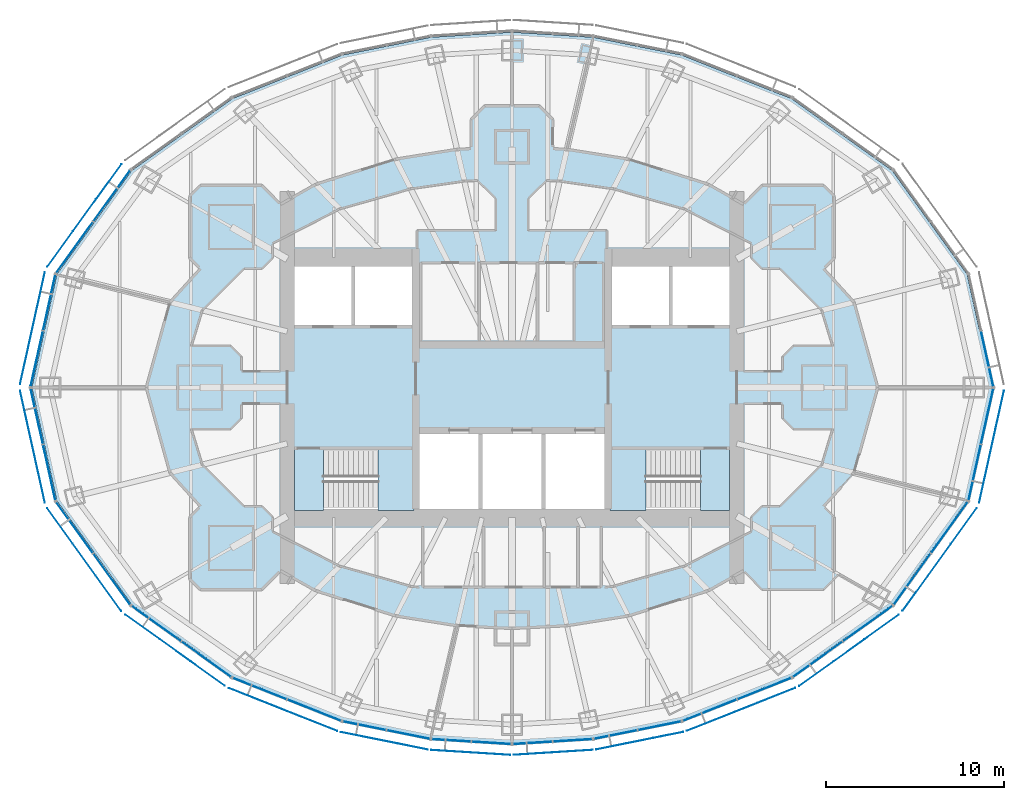
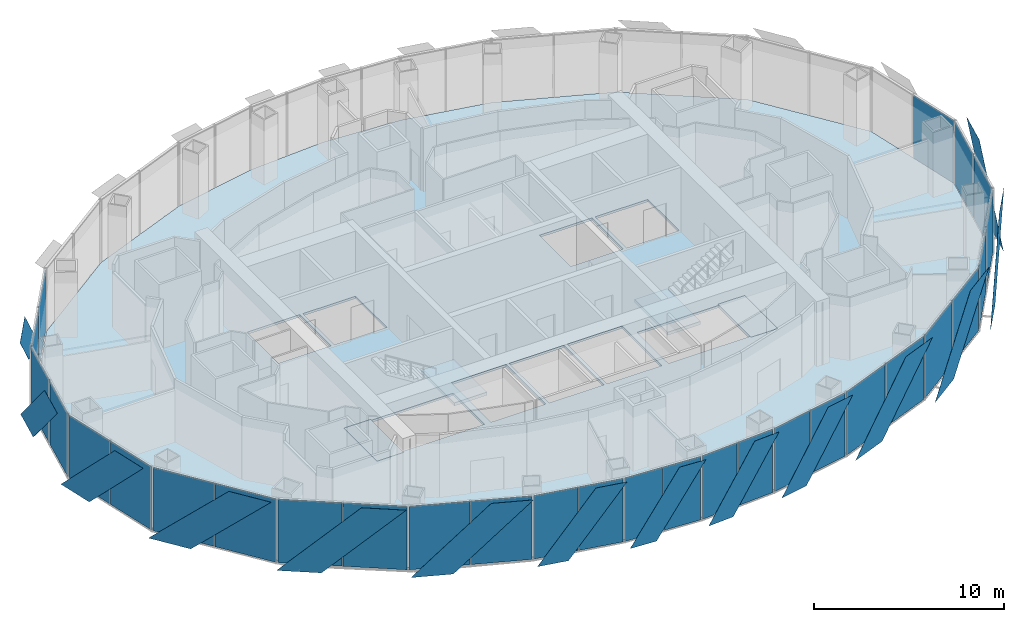
# One storey, part 10 of 18: 43 plates, 5 slabs, 17 elements without a shape of their own.
"""IFC4 building model written with IfcOpenShell, lengths in metres."""

from ifc_helpers import new_model, si_unit, direction, frame, origin, origin_2d, place, context, subcontext, project, spatial, polyline, rectangle, outline, extrude, material, layer, layer_set, type_object, element, aggregate, save


model = new_model("IFC4")

# Units and contexts
model_context = context("Model", 3, precision=1e-05, world=origin(), true_north=direction((0.0, 1.0)))
body_context = subcontext(model_context, "Body", "Model", "MODEL_VIEW")
ifc_project = project(units=[si_unit("LENGTHUNIT", "METRE"), si_unit("AREAUNIT", "SQUARE_METRE"), si_unit("VOLUMEUNIT", "CUBIC_METRE"), si_unit("PLANEANGLEUNIT", "RADIAN"), si_unit("MASSUNIT", "GRAM", prefix="KILO")], contexts=[model_context])

# Site, building, storey
site_placement = place(None, origin())
site = spatial("IfcSite", under=ifc_project, at=site_placement, CompositionType="ELEMENT")
building_placement = place(site_placement, origin())
building = spatial("IfcBuilding", under=site, at=building_placement, Name="Lantaw Convention Tower", CompositionType="ELEMENT")
storey_placement = place(building_placement, frame((0.0, 0.0, 257.800048828125)))
storey = spatial("IfcBuildingStorey", under=building, at=storey_placement, Name="L60", CompositionType="ELEMENT", Elevation=257.800048828125)

# Curtain wall, plate
ifc_material_1 = material(Name="Aluminium framed curtain wall", Category="aluminium")
curtain_wall_type = type_object("IfcCurtainWallType", Name="Office curtain wall high rise, pale aluminium", PredefinedType="USERDEFINED", material=ifc_material_1)
curtain_wall_1_placement = place(storey_placement, origin())
curtain_wall_1 = element("IfcCurtainWall", 1, at=curtain_wall_1_placement, inside=storey, type_object=curtain_wall_type, Name="Office curtain wall high rise, pale aluminium L60", ObjectType="UNITISED CURTAIN WALL", PredefinedType="USERDEFINED")
ifc_material_2 = material(Name="Clear insulating glass", Category="glass")
ifc_layer_1 = layer(ifc_material_2, 0.028076171875)
ifc_layer_set_1 = layer_set([ifc_layer_1], Name="CW-O2 panel 28")
plate_type_1 = type_object("IfcPlateType", Name="CW-O2 panel 28", PredefinedType="CURTAIN_PANEL", material=ifc_layer_set_1)
plate_1_placement = place(storey_placement, frame((26.643798828125, 1.61083984375, -0.0849609375), z_axis=(0.0, 0.0, 1.0), x_axis=(-0.215891333626, 0.976417396437, 0.0)))
plate_1 = element("IfcPlate", 2, at=plate_1_placement, type_object=plate_type_1, Name="CW-O2 panel 1.1", PredefinedType="CURTAIN_PANEL", context=body_context, shape_type="SweptSolid", body=[
    extrude(rectangle(XDim=3.169677734375, YDim=0.028076171875, at=origin_2d()), origin(), (0.0, 0.0, 1.0), 4.070068359375),
])
aggregate(curtain_wall_1, [plate_1])

# Curtain wall, plates
curtain_wall_2_placement = place(storey_placement, origin())
curtain_wall_2 = element("IfcCurtainWall", 3, at=curtain_wall_2_placement, inside=storey, type_object=curtain_wall_type, Name="Office curtain wall high rise, pale aluminium L60", ObjectType="UNITISED CURTAIN WALL", PredefinedType="USERDEFINED")
plate_2_placement = place(storey_placement, frame((-22.4404296875, 10.743896484375, -0.0849609375), z_axis=(0.0, 0.0, 1.0), x_axis=(-0.585157643865, -0.810919559405, 0.0)))
plate_2 = element("IfcPlate", 4, at=plate_2_placement, type_object=plate_type_1, Name="CW-O2 panel 1.1", PredefinedType="CURTAIN_PANEL", context=body_context, shape_type="SweptSolid", body=[
    extrude(rectangle(XDim=3.500732421875, YDim=0.028076171875, at=origin_2d()), origin(), (0.0, 0.0, 1.0), 4.070068359375),
])
plate_3_placement = place(storey_placement, frame((-24.527099609375, 7.852294921875, -0.0849609375), z_axis=(0.0, 0.0, 1.0), x_axis=(-0.585157643865, -0.810919559405, 0.0)))
plate_3 = element("IfcPlate", 5, at=plate_3_placement, type_object=plate_type_1, Name="CW-O2 panel 2.1", PredefinedType="CURTAIN_PANEL", context=body_context, shape_type="SweptSolid", body=[
    extrude(rectangle(XDim=3.500732421875, YDim=0.028076171875, at=origin_2d()), origin(), (0.0, 0.0, 1.0), 4.070068359375),
])
aggregate(curtain_wall_2, [plate_2, plate_3])

curtain_wall_3_placement = place(storey_placement, origin())
curtain_wall_3 = element("IfcCurtainWall", 6, at=curtain_wall_3_placement, inside=storey, type_object=curtain_wall_type, Name="Office curtain wall high rise, pale aluminium L60", ObjectType="UNITISED CURTAIN WALL", PredefinedType="USERDEFINED")
plate_4_placement = place(storey_placement, frame((-25.945556640625, 4.769287109375, -0.0849609375), z_axis=(0.0, 0.0, 1.0), x_axis=(-0.215891333626, -0.976417396437, 0.0)))
plate_4 = element("IfcPlate", 7, at=plate_4_placement, type_object=plate_type_1, Name="CW-O2 panel 1.1", PredefinedType="CURTAIN_PANEL", context=body_context, shape_type="SweptSolid", body=[
    extrude(rectangle(XDim=3.169677734375, YDim=0.028076171875, at=origin_2d()), origin(), (0.0, 0.0, 1.0), 4.070068359375),
])
plate_5_placement = place(storey_placement, frame((-26.643798828125, 1.61083984375, -0.0849609375), z_axis=(0.0, 0.0, 1.0), x_axis=(-0.215891333626, -0.976417396437, 0.0)))
plate_5 = element("IfcPlate", 8, at=plate_5_placement, type_object=plate_type_1, Name="CW-O2 panel 2.1", PredefinedType="CURTAIN_PANEL", context=body_context, shape_type="SweptSolid", body=[
    extrude(rectangle(XDim=3.169677734375, YDim=0.028076171875, at=origin_2d()), origin(), (0.0, 0.0, 1.0), 4.070068359375),
])
aggregate(curtain_wall_3, [plate_4, plate_5])

curtain_wall_4_placement = place(storey_placement, origin())
curtain_wall_4 = element("IfcCurtainWall", 9, at=curtain_wall_4_placement, inside=storey, type_object=curtain_wall_type, Name="Office curtain wall high rise, pale aluminium L60", ObjectType="UNITISED CURTAIN WALL", PredefinedType="USERDEFINED")
plate_6_placement = place(storey_placement, frame((-26.643798828125, -1.61083984375, -0.0849609375), z_axis=(0.0, 0.0, 1.0), x_axis=(0.215891333626, -0.976417396437, 0.0)))
plate_6 = element("IfcPlate", 10, at=plate_6_placement, type_object=plate_type_1, Name="CW-O2 panel 1.1", PredefinedType="CURTAIN_PANEL", context=body_context, shape_type="SweptSolid", body=[
    extrude(rectangle(XDim=3.169677734375, YDim=0.028076171875, at=origin_2d()), origin(), (0.0, 0.0, 1.0), 4.070068359375),
])
plate_7_placement = place(storey_placement, frame((-25.945556640625, -4.769287109375, -0.0849609375), z_axis=(0.0, 0.0, 1.0), x_axis=(0.215891333626, -0.976417396437, 0.0)))
plate_7 = element("IfcPlate", 11, at=plate_7_placement, type_object=plate_type_1, Name="CW-O2 panel 2.1", PredefinedType="CURTAIN_PANEL", context=body_context, shape_type="SweptSolid", body=[
    extrude(rectangle(XDim=3.169677734375, YDim=0.028076171875, at=origin_2d()), origin(), (0.0, 0.0, 1.0), 4.070068359375),
])
aggregate(curtain_wall_4, [plate_6, plate_7])

curtain_wall_5_placement = place(storey_placement, origin())
curtain_wall_5 = element("IfcCurtainWall", 12, at=curtain_wall_5_placement, inside=storey, type_object=curtain_wall_type, Name="Office curtain wall high rise, pale aluminium L60", ObjectType="UNITISED CURTAIN WALL", PredefinedType="USERDEFINED")
plate_8_placement = place(storey_placement, frame((-24.527099609375, -7.852294921875, -0.0849609375), z_axis=(0.0, 0.0, 1.0), x_axis=(0.585157643865, -0.810919559405, 0.0)))
plate_8 = element("IfcPlate", 13, at=plate_8_placement, type_object=plate_type_1, Name="CW-O2 panel 1.1", PredefinedType="CURTAIN_PANEL", context=body_context, shape_type="SweptSolid", body=[
    extrude(rectangle(XDim=3.500732421875, YDim=0.028076171875, at=origin_2d()), origin(), (0.0, 0.0, 1.0), 4.070068359375),
])
plate_9_placement = place(storey_placement, frame((-22.4404296875, -10.743896484375, -0.0849609375), z_axis=(0.0, 0.0, 1.0), x_axis=(0.585157643865, -0.810919559405, 0.0)))
plate_9 = element("IfcPlate", 14, at=plate_9_placement, type_object=plate_type_1, Name="CW-O2 panel 2.1", PredefinedType="CURTAIN_PANEL", context=body_context, shape_type="SweptSolid", body=[
    extrude(rectangle(XDim=3.500732421875, YDim=0.028076171875, at=origin_2d()), origin(), (0.0, 0.0, 1.0), 4.070068359375),
])
aggregate(curtain_wall_5, [plate_8, plate_9])

curtain_wall_6_placement = place(storey_placement, origin())
curtain_wall_6 = element("IfcCurtainWall", 15, at=curtain_wall_6_placement, inside=storey, type_object=curtain_wall_type, Name="Office curtain wall high rise, pale aluminium L60", ObjectType="UNITISED CURTAIN WALL", PredefinedType="USERDEFINED")
plate_10_placement = place(storey_placement, frame((-19.947509765625, -13.23828125, -0.0849609375), z_axis=(0.0, 0.0, 1.0), x_axis=(0.813672540482, -0.581323487281, 0.0)))
plate_10 = element("IfcPlate", 16, at=plate_10_placement, type_object=plate_type_1, Name="CW-O2 panel 1.1", PredefinedType="CURTAIN_PANEL", context=body_context, shape_type="SweptSolid", body=[
    extrude(rectangle(XDim=3.386474609375, YDim=0.028076171875, at=origin_2d()), origin(), (0.0, 0.0, 1.0), 4.070068359375),
])
plate_11_placement = place(storey_placement, frame((-17.13916015625, -15.24462890625, -0.0849609375), z_axis=(0.0, 0.0, 1.0), x_axis=(0.813672540482, -0.581323487281, 0.0)))
plate_11 = element("IfcPlate", 17, at=plate_11_placement, type_object=plate_type_1, Name="CW-O2 panel 2.1", PredefinedType="CURTAIN_PANEL", context=body_context, shape_type="SweptSolid", body=[
    extrude(rectangle(XDim=3.386474609375, YDim=0.028076171875, at=origin_2d()), origin(), (0.0, 0.0, 1.0), 4.070068359375),
])
aggregate(curtain_wall_6, [plate_10, plate_11])

curtain_wall_7_placement = place(storey_placement, origin())
curtain_wall_7 = element("IfcCurtainWall", 18, at=curtain_wall_7_placement, inside=storey, type_object=curtain_wall_type, Name="Office curtain wall high rise, pale aluminium L60", ObjectType="UNITISED CURTAIN WALL", PredefinedType="USERDEFINED")
plate_12_placement = place(storey_placement, frame((-14.14990234375, -16.8837890625, -0.0849609375), z_axis=(0.0, 0.0, 1.0), x_axis=(0.929761533743, -0.368162315252, 0.0)))
plate_12 = element("IfcPlate", 19, at=plate_12_placement, type_object=plate_type_1, Name="CW-O2 panel 1.1", PredefinedType="CURTAIN_PANEL", context=body_context, shape_type="SweptSolid", body=[
    extrude(rectangle(XDim=3.222900390625, YDim=0.028076171875, at=origin_2d()), origin(), (0.0, 0.0, 1.0), 4.070068359375),
])
plate_13_placement = place(storey_placement, frame((-11.0927734375, -18.094482421875, -0.0849609375), z_axis=(0.0, 0.0, 1.0), x_axis=(0.929761533743, -0.368162315252, 0.0)))
plate_13 = element("IfcPlate", 20, at=plate_13_placement, type_object=plate_type_1, Name="CW-O2 panel 2.1", PredefinedType="CURTAIN_PANEL", context=body_context, shape_type="SweptSolid", body=[
    extrude(rectangle(XDim=3.222900390625, YDim=0.028076171875, at=origin_2d()), origin(), (0.0, 0.0, 1.0), 4.070068359375),
])
aggregate(curtain_wall_7, [plate_12, plate_13])

curtain_wall_8_placement = place(storey_placement, origin())
curtain_wall_8 = element("IfcCurtainWall", 21, at=curtain_wall_8_placement, inside=storey, type_object=curtain_wall_type, Name="Office curtain wall high rise, pale aluminium L60", ObjectType="UNITISED CURTAIN WALL", PredefinedType="USERDEFINED")
plate_14_placement = place(storey_placement, frame((-8.2724609375, -18.96533203125, -0.0849609375), z_axis=(0.0, 0.0, 1.0), x_axis=(0.980366679695, -0.197183095987, 0.0)))
plate_14 = element("IfcPlate", 22, at=plate_14_placement, type_object=plate_type_1, Name="CW-O2 panel 1.1", PredefinedType="CURTAIN_PANEL", context=body_context, shape_type="SweptSolid", body=[
    extrude(rectangle(XDim=2.44384765625, YDim=0.028076171875, at=origin_2d()), origin(), (0.0, 0.0, 1.0), 4.070068359375),
])
plate_15_placement = place(storey_placement, frame((-5.81298828125, -19.4599609375, -0.0849609375), z_axis=(0.0, 0.0, 1.0), x_axis=(0.980366679695, -0.197183095987, 0.0)))
plate_15 = element("IfcPlate", 23, at=plate_15_placement, type_object=plate_type_1, Name="CW-O2 panel 2.1", PredefinedType="CURTAIN_PANEL", context=body_context, shape_type="SweptSolid", body=[
    extrude(rectangle(XDim=2.44384765625, YDim=0.028076171875, at=origin_2d()), origin(), (0.0, 0.0, 1.0), 4.070068359375),
])
aggregate(curtain_wall_8, [plate_14, plate_15])

curtain_wall_9_placement = place(storey_placement, origin())
curtain_wall_9 = element("IfcCurtainWall", 24, at=curtain_wall_9_placement, inside=storey, type_object=curtain_wall_type, Name="Office curtain wall high rise, pale aluminium L60", ObjectType="UNITISED CURTAIN WALL", PredefinedType="USERDEFINED")
plate_16_placement = place(storey_placement, frame((-3.397216796875, -19.786376953125, -0.0849609375), z_axis=(0.0, 0.0, 1.0), x_axis=(0.998028774865, -0.062757983884, 0.0)))
plate_16 = element("IfcPlate", 25, at=plate_16_placement, type_object=plate_type_1, Name="CW-O2 panel 1.1", PredefinedType="CURTAIN_PANEL", context=body_context, shape_type="SweptSolid", body=[
    extrude(rectangle(XDim=2.1826171875, YDim=0.028076171875, at=origin_2d()), origin(), (0.0, 0.0, 1.0), 4.070068359375),
])
plate_17_placement = place(storey_placement, frame((-1.154052734375, -19.927490234375, -0.0849609375), z_axis=(0.0, 0.0, 1.0), x_axis=(0.998028774865, -0.062757983884, 0.0)))
plate_17 = element("IfcPlate", 26, at=plate_17_placement, type_object=plate_type_1, Name="CW-O2 panel 2.1", PredefinedType="CURTAIN_PANEL", context=body_context, shape_type="SweptSolid", body=[
    extrude(rectangle(XDim=2.1826171875, YDim=0.028076171875, at=origin_2d()), origin(), (0.0, 0.0, 1.0), 4.070068359375),
])
aggregate(curtain_wall_9, [plate_16, plate_17])

curtain_wall_10_placement = place(storey_placement, origin())
curtain_wall_10 = element("IfcCurtainWall", 27, at=curtain_wall_10_placement, inside=storey, type_object=curtain_wall_type, Name="Office curtain wall high rise, pale aluminium L60", ObjectType="UNITISED CURTAIN WALL", PredefinedType="USERDEFINED")
plate_18_placement = place(storey_placement, frame((1.154052734375, -19.927490234375, -0.0849609375), z_axis=(0.0, 0.0, 1.0), x_axis=(0.998028774865, 0.062757983884, 0.0)))
plate_18 = element("IfcPlate", 28, at=plate_18_placement, type_object=plate_type_1, Name="CW-O2 panel 1.1", PredefinedType="CURTAIN_PANEL", context=body_context, shape_type="SweptSolid", body=[
    extrude(rectangle(XDim=2.1826171875, YDim=0.028076171875, at=origin_2d()), origin(), (0.0, 0.0, 1.0), 4.070068359375),
])
plate_19_placement = place(storey_placement, frame((3.397216796875, -19.786376953125, -0.0849609375), z_axis=(0.0, 0.0, 1.0), x_axis=(0.998028774865, 0.062757983884, 0.0)))
plate_19 = element("IfcPlate", 29, at=plate_19_placement, type_object=plate_type_1, Name="CW-O2 panel 2.1", PredefinedType="CURTAIN_PANEL", context=body_context, shape_type="SweptSolid", body=[
    extrude(rectangle(XDim=2.1826171875, YDim=0.028076171875, at=origin_2d()), origin(), (0.0, 0.0, 1.0), 4.070068359375),
])
aggregate(curtain_wall_10, [plate_18, plate_19])

curtain_wall_11_placement = place(storey_placement, origin())
curtain_wall_11 = element("IfcCurtainWall", 30, at=curtain_wall_11_placement, inside=storey, type_object=curtain_wall_type, Name="Office curtain wall high rise, pale aluminium L60", ObjectType="UNITISED CURTAIN WALL", PredefinedType="USERDEFINED")
plate_20_placement = place(storey_placement, frame((5.81298828125, -19.4599609375, -0.0849609375), z_axis=(0.0, 0.0, 1.0), x_axis=(0.980366679695, 0.197183095987, 0.0)))
plate_20 = element("IfcPlate", 31, at=plate_20_placement, type_object=plate_type_1, Name="CW-O2 panel 1.1", PredefinedType="CURTAIN_PANEL", context=body_context, shape_type="SweptSolid", body=[
    extrude(rectangle(XDim=2.44384765625, YDim=0.028076171875, at=origin_2d()), origin(), (0.0, 0.0, 1.0), 4.070068359375),
])
plate_21_placement = place(storey_placement, frame((8.2724609375, -18.96533203125, -0.0849609375), z_axis=(0.0, 0.0, 1.0), x_axis=(0.980366679695, 0.197183095987, 0.0)))
plate_21 = element("IfcPlate", 32, at=plate_21_placement, type_object=plate_type_1, Name="CW-O2 panel 2.1", PredefinedType="CURTAIN_PANEL", context=body_context, shape_type="SweptSolid", body=[
    extrude(rectangle(XDim=2.44384765625, YDim=0.028076171875, at=origin_2d()), origin(), (0.0, 0.0, 1.0), 4.070068359375),
])
aggregate(curtain_wall_11, [plate_20, plate_21])

curtain_wall_12_placement = place(storey_placement, origin())
curtain_wall_12 = element("IfcCurtainWall", 33, at=curtain_wall_12_placement, inside=storey, type_object=curtain_wall_type, Name="Office curtain wall high rise, pale aluminium L60", ObjectType="UNITISED CURTAIN WALL", PredefinedType="USERDEFINED")
plate_22_placement = place(storey_placement, frame((11.0927734375, -18.094482421875, -0.0849609375), z_axis=(0.0, 0.0, 1.0), x_axis=(0.929761533743, 0.368162315252, 0.0)))
plate_22 = element("IfcPlate", 34, at=plate_22_placement, type_object=plate_type_1, Name="CW-O2 panel 1.1", PredefinedType="CURTAIN_PANEL", context=body_context, shape_type="SweptSolid", body=[
    extrude(rectangle(XDim=3.222900390625, YDim=0.028076171875, at=origin_2d()), origin(), (0.0, 0.0, 1.0), 4.070068359375),
])
plate_23_placement = place(storey_placement, frame((14.14990234375, -16.8837890625, -0.0849609375), z_axis=(0.0, 0.0, 1.0), x_axis=(0.929761533743, 0.368162315252, 0.0)))
plate_23 = element("IfcPlate", 35, at=plate_23_placement, type_object=plate_type_1, Name="CW-O2 panel 2.1", PredefinedType="CURTAIN_PANEL", context=body_context, shape_type="SweptSolid", body=[
    extrude(rectangle(XDim=3.222900390625, YDim=0.028076171875, at=origin_2d()), origin(), (0.0, 0.0, 1.0), 4.070068359375),
])
aggregate(curtain_wall_12, [plate_22, plate_23])

curtain_wall_13_placement = place(storey_placement, origin())
curtain_wall_13 = element("IfcCurtainWall", 36, at=curtain_wall_13_placement, inside=storey, type_object=curtain_wall_type, Name="Office curtain wall high rise, pale aluminium L60", ObjectType="UNITISED CURTAIN WALL", PredefinedType="USERDEFINED")
plate_24_placement = place(storey_placement, frame((17.13916015625, -15.24462890625, -0.0849609375), z_axis=(0.0, 0.0, 1.0), x_axis=(0.813672540482, 0.581323487281, 0.0)))
plate_24 = element("IfcPlate", 37, at=plate_24_placement, type_object=plate_type_1, Name="CW-O2 panel 1.1", PredefinedType="CURTAIN_PANEL", context=body_context, shape_type="SweptSolid", body=[
    extrude(rectangle(XDim=3.386474609375, YDim=0.028076171875, at=origin_2d()), origin(), (0.0, 0.0, 1.0), 4.070068359375),
])
plate_25_placement = place(storey_placement, frame((19.947509765625, -13.23828125, -0.0849609375), z_axis=(0.0, 0.0, 1.0), x_axis=(0.813672540482, 0.581323487281, 0.0)))
plate_25 = element("IfcPlate", 38, at=plate_25_placement, type_object=plate_type_1, Name="CW-O2 panel 2.1", PredefinedType="CURTAIN_PANEL", context=body_context, shape_type="SweptSolid", body=[
    extrude(rectangle(XDim=3.386474609375, YDim=0.028076171875, at=origin_2d()), origin(), (0.0, 0.0, 1.0), 4.070068359375),
])
aggregate(curtain_wall_13, [plate_24, plate_25])

curtain_wall_14_placement = place(storey_placement, origin())
curtain_wall_14 = element("IfcCurtainWall", 39, at=curtain_wall_14_placement, inside=storey, type_object=curtain_wall_type, Name="Office curtain wall high rise, pale aluminium L60", ObjectType="UNITISED CURTAIN WALL", PredefinedType="USERDEFINED")
plate_26_placement = place(storey_placement, frame((22.4404296875, -10.743896484375, -0.0849609375), z_axis=(0.0, 0.0, 1.0), x_axis=(0.585157643865, 0.810919559405, 0.0)))
plate_26 = element("IfcPlate", 40, at=plate_26_placement, type_object=plate_type_1, Name="CW-O2 panel 1.1", PredefinedType="CURTAIN_PANEL", context=body_context, shape_type="SweptSolid", body=[
    extrude(rectangle(XDim=3.500732421875, YDim=0.028076171875, at=origin_2d()), origin(), (0.0, 0.0, 1.0), 4.070068359375),
])
plate_27_placement = place(storey_placement, frame((24.527099609375, -7.852294921875, -0.0849609375), z_axis=(0.0, 0.0, 1.0), x_axis=(0.585157643865, 0.810919559405, 0.0)))
plate_27 = element("IfcPlate", 41, at=plate_27_placement, type_object=plate_type_1, Name="CW-O2 panel 2.1", PredefinedType="CURTAIN_PANEL", context=body_context, shape_type="SweptSolid", body=[
    extrude(rectangle(XDim=3.500732421875, YDim=0.028076171875, at=origin_2d()), origin(), (0.0, 0.0, 1.0), 4.070068359375),
])
aggregate(curtain_wall_14, [plate_26, plate_27])

curtain_wall_15_placement = place(storey_placement, origin())
curtain_wall_15 = element("IfcCurtainWall", 42, at=curtain_wall_15_placement, inside=storey, type_object=curtain_wall_type, Name="Office curtain wall high rise, pale aluminium L60", ObjectType="UNITISED CURTAIN WALL", PredefinedType="USERDEFINED")
plate_28_placement = place(storey_placement, frame((25.945556640625, -4.769287109375, -0.0849609375), z_axis=(0.0, 0.0, 1.0), x_axis=(0.215891333626, 0.976417396437, 0.0)))
plate_28 = element("IfcPlate", 43, at=plate_28_placement, type_object=plate_type_1, Name="CW-O2 panel 1.1", PredefinedType="CURTAIN_PANEL", context=body_context, shape_type="SweptSolid", body=[
    extrude(rectangle(XDim=3.169677734375, YDim=0.028076171875, at=origin_2d()), origin(), (0.0, 0.0, 1.0), 4.070068359375),
])
plate_29_placement = place(storey_placement, frame((26.643798828125, -1.61083984375, -0.0849609375), z_axis=(0.0, 0.0, 1.0), x_axis=(0.215891333626, 0.976417396437, 0.0)))
plate_29 = element("IfcPlate", 44, at=plate_29_placement, type_object=plate_type_1, Name="CW-O2 panel 2.1", PredefinedType="CURTAIN_PANEL", context=body_context, shape_type="SweptSolid", body=[
    extrude(rectangle(XDim=3.169677734375, YDim=0.028076171875, at=origin_2d()), origin(), (0.0, 0.0, 1.0), 4.070068359375),
])
aggregate(curtain_wall_15, [plate_28, plate_29])

# Slab
ifc_material_3 = material(Name="Concrete C35/45", Category="concrete")
ifc_layer_2 = layer(ifc_material_3, 0.14990234375)
ifc_layer_set_2 = layer_set([ifc_layer_2], Name="Floor slab 150")
slab_type_1 = type_object("IfcSlabType", Name="Floor slab 150", PredefinedType="FLOOR", material=ifc_layer_set_2)
slab_1_placement = place(storey_placement, frame((0.0, 0.0, -0.150146484375)))
element("IfcSlab", 45, at=slab_1_placement, inside=storey, type_object=slab_type_1, Name="L60 floor slab", PredefinedType="FLOOR", context=body_context, shape_type="SweptSolid", body=[
    extrude(outline(polyline([(25.51953125, -6.348876953125), (26.923095703125, 0.0), (25.51953125, 6.348876953125), (21.324462890625, 12.162109375), (15.67236328125, 16.2001953125), (9.5126953125, 18.639404296875), (4.54150390625, 19.63916015625), (0.0, 19.9248046875), (-4.54150390625, 19.63916015625), (-9.5126953125, 18.639404296875), (-15.67236328125, 16.2001953125), (-21.324462890625, 12.162109375), (-25.51953125, 6.348876953125), (-26.923095703125, 0.0), (-25.51953125, -6.348876953125), (-21.324462890625, -12.162109375), (-15.67236328125, -16.2001953125), (-9.5126953125, -18.639404296875), (-4.54150390625, -19.63916015625), (0.0, -19.9248046875), (4.54150390625, -19.63916015625), (9.5126953125, -18.639404296875), (15.67236328125, -16.2001953125), (21.324462890625, -12.162109375), (25.51953125, -6.348876953125)]), holes=[polyline([(-5.60009765625, -3.5), (-12.199951171875, -3.5), (-12.199951171875, -6.800048828125), (-5.60009765625, -6.800048828125), (-5.60009765625, -3.5)]), polyline([(12.199951171875, -3.5), (5.60009765625, -3.5), (5.60009765625, -6.800048828125), (12.199951171875, -6.800048828125), (12.199951171875, -3.5)]), polyline([(-1.86669921875, -2.60009765625), (-5.199951171875, -2.60009765625), (-5.199951171875, -6.800048828125), (-1.86669921875, -6.800048828125), (-1.86669921875, -2.60009765625)]), polyline([(1.666748046875, -2.60009765625), (-1.666748046875, -2.60009765625), (-1.666748046875, -6.800048828125), (1.666748046875, -6.800048828125), (1.666748046875, -2.60009765625)]), polyline([(5.199951171875, -2.60009765625), (1.86669921875, -2.60009765625), (1.86669921875, -6.800048828125), (5.199951171875, -6.800048828125), (5.199951171875, -2.60009765625)]), polyline([(-9.0, 6.800048828125), (-12.199951171875, 6.800048828125), (-12.199951171875, 3.5), (-9.0, 3.5), (-9.0, 6.800048828125)]), polyline([(-5.60009765625, 6.800048828125), (-8.800048828125, 6.800048828125), (-8.800048828125, 3.5), (-5.60009765625, 3.5), (-5.60009765625, 6.800048828125)]), polyline([(8.800048828125, 3.5), (8.800048828125, 6.800048828125), (5.60009765625, 6.800048828125), (5.60009765625, 3.5), (8.800048828125, 3.5)]), polyline([(12.199951171875, 3.5), (12.199951171875, 6.800048828125), (9.0, 6.800048828125), (9.0, 3.5), (12.199951171875, 3.5)])]), origin(), (0.0, 0.0, 1.0), 0.150146484375),
])

# Plates
ifc_material_4 = material(Name="Perforated aluminium sheet, pale silver finish", Category="aluminium")
ifc_layer_3 = layer(ifc_material_4, 0.006103515625)
ifc_layer_set_3 = layer_set([ifc_layer_3], Name="Perforated aluminium solar SCREEN panel")
plate_type_2 = type_object("IfcPlateType", Name="Perforated aluminium solar SCREEN panel", PredefinedType="SHEET", material=ifc_layer_set_3)
plate_30_placement = place(storey_placement, frame((-21.898681640625, 12.530029296875, -0.175048828125), z_axis=(-0.810892289695, 0.585195432394, 2.0458414e-05), x_axis=(-0.585195432516, -0.810892289865, 0.0)))
element("IfcPlate", 46, at=plate_30_placement, inside=storey, type_object=plate_type_2, Name="Solar SCREEN panel", PredefinedType="SHEET", context=body_context, shape_type="SweptSolid", body=[
    extrude(outline(polyline([(0.0, 0.0), (2.446848840683286, -6.776263578034403e-21), (7.09661046667572, 4.340087891533265), (4.649761625992435, 4.340087891533265), (0.0, 0.0)])), origin(), (0.0, 0.0, -1.0), 0.006103515625),
])
plate_31_placement = place(storey_placement, frame((-26.19189453125, 6.462158203125, -0.175048828125), z_axis=(0.976429511424, -0.215836529031, 4.4219438e-05), x_axis=(-0.215836529242, -0.976429512379, 0.0)))
element("IfcPlate", 47, at=plate_31_placement, inside=storey, type_object=plate_type_2, Name="Solar SCREEN panel", PredefinedType="SHEET", context=body_context, shape_type="SweptSolid", body=[
    extrude(outline(polyline([(0.0, 0.0), (2.2215525295212517, 3.3881317890172014e-21), (6.4341686174090675, -4.340087894868215), (4.212616087887817, -4.340087894868215), (0.0, 0.0)])), origin(), (0.0, 0.0, -1.0), 0.006103515625),
])
plate_32_placement = place(storey_placement, frame((-27.580810546875, -0.1796875, -0.175048828125), z_axis=(-0.976429511424, -0.215836529031, 4.4219438e-05), x_axis=(0.215836529242, -0.976429512379, 0.0)))
element("IfcPlate", 48, at=plate_32_placement, inside=storey, type_object=plate_type_2, Name="Solar SCREEN panel", PredefinedType="SHEET", context=body_context, shape_type="SweptSolid", body=[
    extrude(outline(polyline([(0.0, 0.0), (2.2215525295212517, -3.3881317890172014e-21), (6.4341686174090675, 4.340087894868215), (4.212616087887817, 4.340087894868215), (0.0, 0.0)])), origin(), (0.0, 0.0, -1.0), 0.006103515625),
])
plate_33_placement = place(storey_placement, frame((-26.051513671875, -6.775390625, -0.175048828125), z_axis=(0.810892289695, 0.585195432394, 2.0458414e-05), x_axis=(0.585195432516, -0.810892289865, 0.0)))
element("IfcPlate", 49, at=plate_33_placement, inside=storey, type_object=plate_type_2, Name="Solar SCREEN panel", PredefinedType="SHEET", context=body_context, shape_type="SweptSolid", body=[
    extrude(outline(polyline([(0.0, 0.0), (2.446848840683286, 6.776263578034403e-21), (7.09661046667572, -4.340087891533265), (4.649761625992435, -4.340087891533265), (0.0, 0.0)])), origin(), (0.0, 0.0, -1.0), 0.006103515625),
])
plate_34_placement = place(storey_placement, frame((-21.689697265625, -12.73828125, -0.175048828125), z_axis=(-0.581330799771, -0.813667316006, 1.0072414e-05), x_axis=(0.813667316047, -0.5813307998, 3.02e-10)))
element("IfcPlate", 50, at=plate_34_placement, inside=storey, type_object=plate_type_2, Name="Solar SCREEN panel", PredefinedType="SHEET", context=body_context, shape_type="SweptSolid", body=[
    extrude(outline(polyline([(0.0, 0.0), (2.3691416428668504, 0.0), (6.867806096558412, 4.34008788877314), (4.498863102938644, 4.340087890202622), (0.0, 0.0)])), origin(), (0.0, 0.0, -1.0), 0.006103515625),
])
plate_35_placement = place(storey_placement, frame((-15.88525390625, -16.8486328125, -0.175048828125), z_axis=(0.368116612072, 0.929779629081, 3.5533269e-05), x_axis=(0.929779629668, -0.368116612304, -1.786e-09)))
element("IfcPlate", 51, at=plate_35_placement, inside=storey, type_object=plate_type_2, Name="Solar SCREEN panel", PredefinedType="SHEET", context=body_context, shape_type="SweptSolid", body=[
    extrude(outline(polyline([(0.0, 0.0), (2.2578720663572183, -3.3881317890172014e-21), (6.540904465438181, -4.340087905048178), (4.282942526861161, -4.340087896982072), (0.0, 0.0)])), origin(), (0.0, 0.0, -1.0), 0.006103515625),
])
plate_36_placement = place(storey_placement, frame((-9.6044921875, -19.315673828125, -0.175048828125), z_axis=(0.197162069853, 0.980370908428, 1.0904083e-05), x_axis=(0.980370908486, -0.197162069865, -7.55e-10)))
element("IfcPlate", 52, at=plate_36_placement, inside=storey, type_object=plate_type_2, Name="Solar SCREEN panel", PredefinedType="SHEET", context=body_context, shape_type="SweptSolid", body=[
    extrude(outline(polyline([(0.0, 0.0), (1.7279870169553606, 8.470329472543003e-22), (4.982578440602753, -4.340087894645749), (3.2545432883764285, -4.340087892035838), (0.0, 0.0)])), origin(), (0.0, 0.0, -1.0), 0.006103515625),
])
plate_37_placement = place(storey_placement, frame((-4.539306640625, -20.32177734375, -0.175048828125), z_axis=(0.062672387577, 0.998034151922, 5.858668e-05), x_axis=(0.998034153635, -0.062672387685, 0.0)))
element("IfcPlate", 53, at=plate_37_placement, inside=storey, type_object=plate_type_2, Name="Solar SCREEN panel", PredefinedType="SHEET", context=body_context, shape_type="SweptSolid", body=[
    extrude(outline(polyline([(0.0, 0.0), (1.5504111513762302, 8.470329472543003e-22), (4.460200019412434, -4.340087898073457), (2.9097888680362036, -4.340087898073457), (0.0, 0.0)])), origin(), (0.0, 0.0, -1.0), 0.006103515625),
])
plate_38_placement = place(storey_placement, frame((0.087890625, -20.6015625, -0.175048828125), z_axis=(0.062672387577, -0.998034151922, 5.858668e-05), x_axis=(0.998034153635, 0.062672387685, 0.0)))
element("IfcPlate", 54, at=plate_38_placement, inside=storey, type_object=plate_type_2, Name="Solar SCREEN panel", PredefinedType="SHEET", context=body_context, shape_type="SweptSolid", body=[
    extrude(outline(polyline([(0.0, 0.0), (1.5504111513762302, -8.470329472543003e-22), (4.460200019412434, 4.340087898073457), (2.9097888680362036, 4.340087898073457), (0.0, 0.0)])), origin(), (0.0, 0.0, -1.0), 0.006103515625),
])
plate_39_placement = place(storey_placement, frame((4.7197265625, -20.298095703125, -0.175048828125), z_axis=(0.197162069853, -0.980370908428, 1.0904083e-05), x_axis=(0.980370908486, 0.197162069865, 7.55e-10)))
element("IfcPlate", 55, at=plate_39_placement, inside=storey, type_object=plate_type_2, Name="Solar SCREEN panel", PredefinedType="SHEET", context=body_context, shape_type="SweptSolid", body=[
    extrude(outline(polyline([(0.0, 0.0), (1.7280351522263238, 4.235164736271502e-22), (4.982578447157737, 4.34008788712039), (3.2545914302023755, 4.340087889730228), (0.0, 0.0)])), origin(), (0.0, 0.0, -1.0), 0.006103515625),
])
plate_40_placement = place(storey_placement, frame((9.8037109375, -19.256591796875, -0.175048828125), z_axis=(0.368116612072, -0.929779629081, 3.5533269e-05), x_axis=(0.929779629668, 0.368116612304, 1.786e-09)))
element("IfcPlate", 56, at=plate_40_placement, inside=storey, type_object=plate_type_2, Name="Solar SCREEN panel", PredefinedType="SHEET", context=body_context, shape_type="SweptSolid", body=[
    extrude(outline(polyline([(0.0, 0.0), (2.257961938577019, 0.0), (6.540904480942253, 4.34008788168214), (4.283032414585035, 4.340087889747925), (0.0, 0.0)])), origin(), (0.0, 0.0, -1.0), 0.006103515625),
])
plate_41_placement = place(storey_placement, frame((16.1015625, -16.730712890625, -0.175048828125), z_axis=(-0.581330799771, 0.813667316006, 1.0072414e-05), x_axis=(0.813667316047, 0.5813307998, -3.02e-10)))
element("IfcPlate", 57, at=plate_41_placement, inside=storey, type_object=plate_type_2, Name="Solar SCREEN panel", PredefinedType="SHEET", context=body_context, shape_type="SweptSolid", body=[
    extrude(outline(polyline([(0.0, 0.0), (2.3689429936197683, -1.6940658945086007e-21), (6.867806093939489, -4.340087892917353), (4.498664451072639, -4.340087891487751), (0.0, 0.0)])), origin(), (0.0, 0.0, -1.0), 0.006103515625),
])
plate_42_placement = place(storey_placement, frame((21.898681640625, -12.530029296875, -0.175048828125), z_axis=(0.810892289695, -0.585195432394, 2.0458414e-05), x_axis=(0.585195432516, 0.810892289865, 0.0)))
element("IfcPlate", 58, at=plate_42_placement, inside=storey, type_object=plate_type_2, Name="Solar SCREEN panel", PredefinedType="SHEET", context=body_context, shape_type="SweptSolid", body=[
    extrude(outline(polyline([(0.0, 0.0), (2.446848840683286, -6.776263578034403e-21), (7.09661046667572, 4.340087891533265), (4.649761625992435, 4.340087891533265), (0.0, 0.0)])), origin(), (0.0, 0.0, -1.0), 0.006103515625),
])
plate_43_placement = place(storey_placement, frame((26.19189453125, -6.462158203125, -0.175048828125), z_axis=(-0.976429511424, 0.215836529031, 4.4219438e-05), x_axis=(0.215836529242, 0.976429512379, 0.0)))
element("IfcPlate", 59, at=plate_43_placement, inside=storey, type_object=plate_type_2, Name="Solar SCREEN panel", PredefinedType="SHEET", context=body_context, shape_type="SweptSolid", body=[
    extrude(outline(polyline([(0.0, 0.0), (2.2215525295212517, 3.3881317890172014e-21), (6.4341686174090675, -4.340087894868215), (4.212616087887817, -4.340087894868215), (0.0, 0.0)])), origin(), (0.0, 0.0, -1.0), 0.006103515625),
])

# Stair, slabs
stair_type = type_object("IfcStairType", Name="Exit stair 1500 riser 175 in 2 flights", PredefinedType="HALF_TURN_STAIR", material=ifc_material_3)
stair_1_placement = place(storey_placement, origin())
stair_1 = element("IfcStair", 60, at=stair_1_placement, inside=storey, type_object=stair_type, Name="Exit stair S1 L60", PredefinedType="HALF_TURN_STAIR")
ifc_layer_4 = layer(ifc_material_3, 0.199951171875)
ifc_layer_set_4 = layer_set([ifc_layer_4], Name="Stair landing 200")
slab_type_2 = type_object("IfcSlabType", Name="Stair landing 200", PredefinedType="LANDING", material=ifc_layer_set_4)
slab_2_placement = place(storey_placement, frame((0.0, 0.0, -0.199951171875)))
slab_2 = element("IfcSlab", 61, at=slab_2_placement, type_object=slab_type_2, Name="S1 landing 1", PredefinedType="LANDING", context=body_context, shape_type="SweptSolid", body=[
    extrude(outline(polyline([(-12.199951171875, -6.89990234375), (-10.580078125, -6.89990234375), (-10.580078125, -3.39990234375), (-12.199951171875, -3.39990234375), (-12.199951171875, -6.89990234375)])), origin(), (0.0, 0.0, 1.0), 0.199951171875),
])
slab_3_placement = place(storey_placement, frame((0.0, 0.0, 1.89990234375)))
slab_3 = element("IfcSlab", 62, at=slab_3_placement, type_object=slab_type_2, Name="S1 landing 2", PredefinedType="LANDING", context=body_context, shape_type="SweptSolid", body=[
    extrude(outline(polyline([(-7.5, -6.89990234375), (-5.5, -6.89990234375), (-5.5, -3.39990234375), (-7.5, -3.39990234375), (-7.5, -6.89990234375)])), origin(), (0.0, 0.0, 1.0), 0.199951171875),
])
aggregate(stair_1, [slab_2, slab_3])

stair_2_placement = place(storey_placement, origin())
stair_2 = element("IfcStair", 63, at=stair_2_placement, inside=storey, type_object=stair_type, Name="Exit stair S2 L60", PredefinedType="HALF_TURN_STAIR")
slab_4_placement = place(storey_placement, frame((0.0, 0.0, -0.199951171875)))
slab_4 = element("IfcSlab", 64, at=slab_4_placement, type_object=slab_type_2, Name="S2 landing 1", PredefinedType="LANDING", context=body_context, shape_type="SweptSolid", body=[
    extrude(outline(polyline([(10.580078125, -6.89990234375), (12.199951171875, -6.89990234375), (12.199951171875, -3.39990234375), (10.580078125, -3.39990234375), (10.580078125, -6.89990234375)])), origin(), (0.0, 0.0, 1.0), 0.199951171875),
])
slab_5_placement = place(storey_placement, frame((0.0, 0.0, 1.89990234375)))
slab_5 = element("IfcSlab", 65, at=slab_5_placement, type_object=slab_type_2, Name="S2 landing 2", PredefinedType="LANDING", context=body_context, shape_type="SweptSolid", body=[
    extrude(outline(polyline([(5.5, -6.89990234375), (7.5, -6.89990234375), (7.5, -3.39990234375), (5.5, -3.39990234375), (5.5, -6.89990234375)])), origin(), (0.0, 0.0, 1.0), 0.199951171875),
])
aggregate(stair_2, [slab_4, slab_5])

save(model, "model.ifc")
